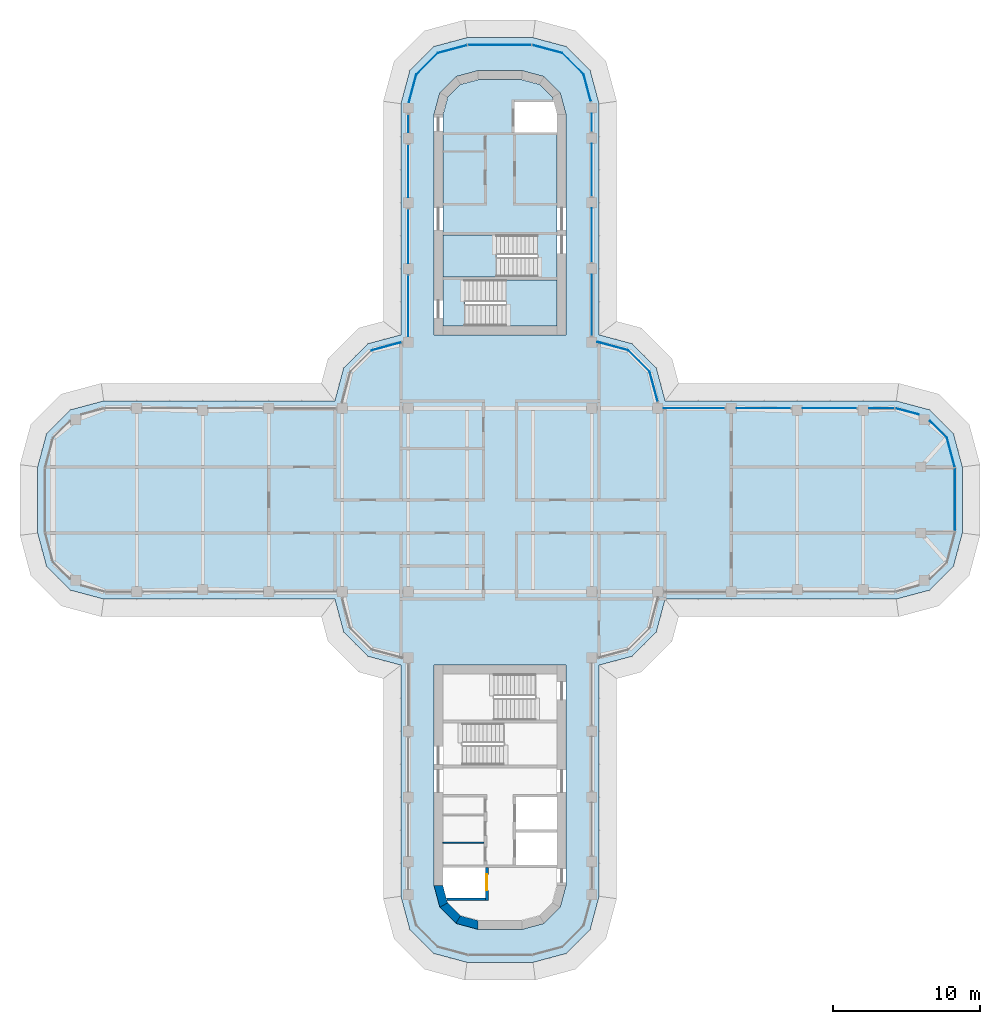
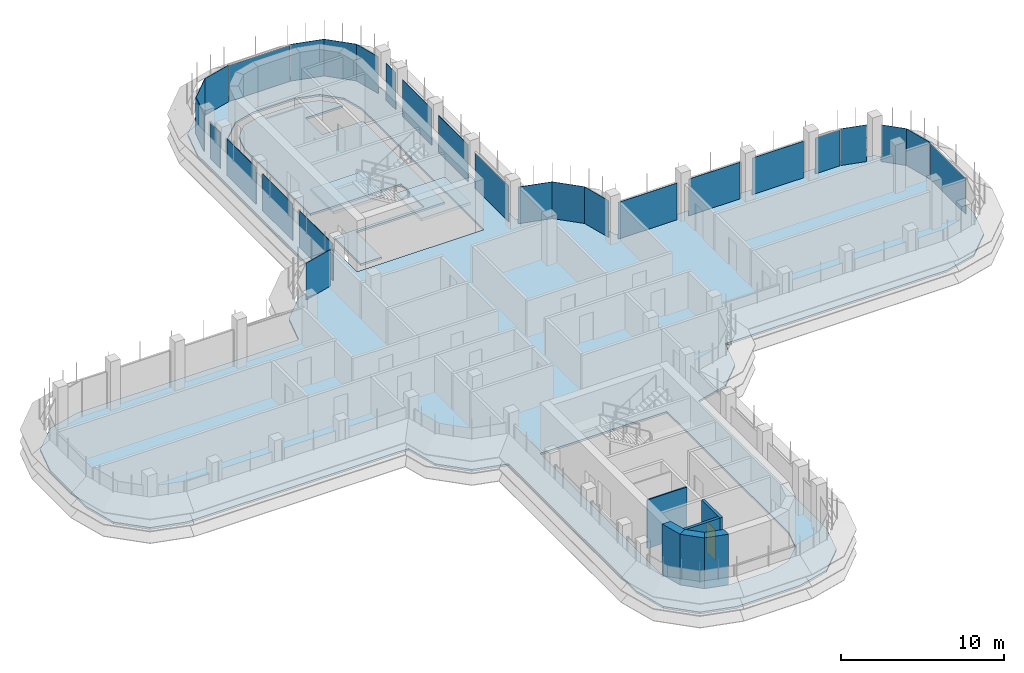
# One storey, part 12 of 19: 27 plates, 6 walls, 4 slabs, 1 door, 1 opening, 20 elements without a shape of their own.
"""IFC4 building model written with IfcOpenShell, lengths in metres."""

from ifc_helpers import new_model, si_unit, direction, frame, frame_2d, origin, place, context, subcontext, project, spatial, polyline, rectangle, outline, extrude, source, transform, mapped, material, layer, layer_set, type_object, element, fill, aggregate, save


model = new_model("IFC4")

# Units and contexts
model_context = context("Model", 3, precision=1e-05, world=origin(), true_north=direction((0.0, 1.0)))
body_context = subcontext(model_context, "Body", "Model", "MODEL_VIEW")
ifc_project = project(units=[si_unit("LENGTHUNIT", "METRE"), si_unit("AREAUNIT", "SQUARE_METRE"), si_unit("VOLUMEUNIT", "CUBIC_METRE"), si_unit("PLANEANGLEUNIT", "RADIAN"), si_unit("MASSUNIT", "GRAM", prefix="KILO")], contexts=[model_context])

# Site, building, storey
site_placement = place(None, origin())
site = spatial("IfcSite", under=ifc_project, at=site_placement, CompositionType="ELEMENT")
building_placement = place(site_placement, origin())
building = spatial("IfcBuilding", under=site, at=building_placement, Name="Zarbagh Exchange Tower", CompositionType="ELEMENT")
storey_placement = place(building_placement, frame((0.0, 0.0, 199.199951171875)))
storey = spatial("IfcBuildingStorey", under=building, at=storey_placement, Name="L48", CompositionType="ELEMENT", Elevation=199.199951171875)

# Slabs
ifc_material_1 = material(Name="Concrete C40/50", Category="concrete")
ifc_layer_1 = layer(ifc_material_1, 0.14990234375)
ifc_layer_set_1 = layer_set([ifc_layer_1], Name="Composite floor slab 150 C40/50")
slab_type_1 = type_object("IfcSlabType", Name="Composite floor slab 150 C40/50", PredefinedType="FLOOR", material=ifc_layer_set_1)
slab_1_placement = place(storey_placement, frame((0.0, 0.0, -0.14990234375)))
element("IfcSlab", 1, at=slab_1_placement, inside=storey, type_object=slab_type_1, Name="S5 composite floor slab", PredefinedType="FLOOR", context=body_context, shape_type="SweptSolid", body=[
    extrude(outline(polyline([(-2.25, -31.5), (-4.5, -30.897216796875), (-6.147216796875, -29.25), (-6.75, -27.0), (-6.75, -11.25), (-9.0, -10.647216796875), (-10.647216796875, -9.0), (-11.25, -6.75), (-27.0, -6.75), (-29.25, -6.147216796875), (-30.897216796875, -4.5), (-31.5, -2.25), (-31.5, 2.25), (-30.897216796875, 4.5), (-29.25, 6.147216796875), (-27.0, 6.75), (-11.25, 6.75), (-10.647216796875, 9.0), (-9.0, 10.647216796875), (-6.75, 11.25), (-6.75, 27.0), (-6.147216796875, 29.25), (-4.5, 30.897216796875), (-2.25, 31.5), (2.25, 31.5), (4.5, 30.897216796875), (6.147216796875, 29.25), (6.75, 27.0), (6.75, 11.25), (9.0, 10.647216796875), (10.647216796875, 9.0), (11.25, 6.75), (27.0, 6.75), (29.25, 6.147216796875), (30.897216796875, 4.5), (31.5, 2.25), (31.5, -2.25), (30.897216796875, -4.5), (29.25, -6.147216796875), (27.0, -6.75), (11.25, -6.75), (10.647216796875, -9.0), (9.0, -10.647216796875), (6.75, -11.25), (6.75, -27.0), (6.147216796875, -29.25), (4.5, -30.897216796875), (2.25, -31.5), (-2.25, -31.5)]), holes=[polyline([(4.5, 11.25), (4.5, 26.25), (4.09814453125, 27.75), (3.0, 28.84814453125), (1.5, 29.25), (-1.5, 29.25), (-3.0, 28.84814453125), (-4.09814453125, 27.75), (-4.5, 26.25), (-4.5, 11.25), (4.5, 11.25)]), polyline([(-1.5, -29.25), (1.5, -29.25), (3.0, -28.84814453125), (4.09814453125, -27.75), (4.5, -26.25), (4.5, -11.25), (-4.5, -11.25), (-4.5, -26.25), (-4.09814453125, -27.75), (-3.0, -28.84814453125), (-1.5, -29.25)])]), origin(), (0.0, 0.0, 1.0), 0.14990234375),
])
ifc_layer_2 = layer(ifc_material_1, 0.14990234375)
ifc_layer_set_2 = layer_set([ifc_layer_2], Name="Core floor slab 150 C40/50")
slab_type_2 = type_object("IfcSlabType", Name="Core floor slab 150 C40/50", PredefinedType="FLOOR", material=ifc_layer_set_2)
slab_2_placement = place(storey_placement, frame((0.0, 0.0, -0.14990234375)))
element("IfcSlab", 2, at=slab_2_placement, inside=storey, type_object=slab_type_2, Name="S17 core N", PredefinedType="FLOOR", context=body_context, shape_type="SweptSolid", body=[
    extrude(outline(polyline([(-3.89990234375, 11.85009765625), (-3.89990234375, 15.199951171875), (2.550048828125, 15.199951171875), (2.550048828125, 18.050048828125), (-3.89990234375, 18.050048828125), (-3.89990234375, 26.1708984375), (-3.56005859375, 27.439453125), (-2.689453125, 28.31005859375), (-1.4208984375, 28.64990234375), (1.4208984375, 28.64990234375), (2.689453125, 28.31005859375), (3.56005859375, 27.439453125), (3.651123046875, 27.10009765625), (1.0, 27.10009765625), (1.0, 25.050048828125), (3.89990234375, 25.050048828125), (3.89990234375, 15.0), (-2.39990234375, 15.0), (-2.39990234375, 11.85009765625), (-3.89990234375, 11.85009765625)])), origin(), (0.0, 0.0, 1.0), 0.14990234375),
])

# Stair, slab
stair_type = type_object("IfcStairType", Name="Exit stair two-flight half-turn", PredefinedType="HALF_TURN_STAIR", material=ifc_material_1)
stair_1_placement = place(storey_placement, origin())
stair_1 = element("IfcStair", 3, at=stair_1_placement, inside=storey, type_object=stair_type, Name="exit stair ST1", PredefinedType="HALF_TURN_STAIR")
ifc_layer_3 = layer(ifc_material_1, 0.199951171875)
ifc_layer_set_3 = layer_set([ifc_layer_3], Name="Stair landing 200 mm")
slab_type_3 = type_object("IfcSlabType", Name="Stair landing 200 mm", PredefinedType="LANDING", material=ifc_layer_set_3)
slab_3_placement = place(storey_placement, frame((0.0, 0.0, 1.699951171875)))
slab_3 = element("IfcSlab", 4, at=slab_3_placement, type_object=slab_type_3, Name="ST1 landing 1", PredefinedType="LANDING", context=body_context, shape_type="SweptSolid", body=[
    extrude(outline(polyline([(-0.25, 18.050048828125), (-3.89990234375, 18.050048828125), (-3.89990234375, 15.199951171875), (-0.25, 15.199951171875), (-0.25, 18.050048828125)])), origin(), (0.0, 0.0, 1.0), 0.2001953125),
])
aggregate(stair_1, [slab_3])

stair_2_placement = place(storey_placement, origin())
stair_2 = element("IfcStair", 5, at=stair_2_placement, inside=storey, type_object=stair_type, Name="exit stair ST2", PredefinedType="HALF_TURN_STAIR")
slab_4_placement = place(storey_placement, frame((0.0, 0.0, 1.699951171875)))
slab_4 = element("IfcSlab", 6, at=slab_4_placement, type_object=slab_type_3, Name="ST2 landing 1", PredefinedType="LANDING", context=body_context, shape_type="SweptSolid", body=[
    extrude(outline(polyline([(0.39990234375, 11.85009765625), (3.89990234375, 11.85009765625), (3.89990234375, 15.0), (0.39990234375, 15.0), (0.39990234375, 11.85009765625)])), origin(), (0.0, 0.0, 1.0), 0.2001953125),
])
aggregate(stair_2, [slab_4])

# Curtain wall, plate
ifc_material_2 = material(Name="Anodised aluminium frame and glazing", Category="aluminium")
curtain_wall_type = type_object("IfcCurtainWallType", Name="CWB Ribbon glazing, upper zones", PredefinedType="NOTDEFINED", material=ifc_material_2)
curtain_wall_1_placement = place(storey_placement, origin())
curtain_wall_1 = element("IfcCurtainWall", 7, at=curtain_wall_1_placement, inside=storey, type_object=curtain_wall_type, Name="CWB18 curtain wall", PredefinedType="NOTDEFINED")
ifc_material_3 = material(Name="Low-e double glazed unit, 6+12+6 mm")
ifc_layer_4 = layer(ifc_material_3, 0.031982421875)
ifc_layer_set_4 = layer_set([ifc_layer_4], Name="PAB Glazing panel, Low-e double glazed unit, 6+12+6 mm")
plate_type = type_object("IfcPlateType", Name="PAB Glazing panel, Low-e double glazed unit, 6+12+6 mm", PredefinedType="CURTAIN_PANEL", material=ifc_layer_set_4)
shared_shape_1 = source(origin(), body_context, "Body", "SweptSolid", [
    extrude(outline(polyline([(0.0, -0.01611328125), (2.061279296875, -0.01611328125), (2.061279296875, 0.01611328125), (0.0, 0.01611328125), (0.0, -0.01611328125)])), origin(), (0.0, 0.0, 1.0), 2.75),
])
placement = place(storey_placement, origin())
plate_1 = element("IfcPlate", 8, at=placement, type_object=plate_type, Name="CWB18 glazing panel 1.1", PredefinedType="CURTAIN_PANEL", context=body_context, shape_type="MappedRepresentation", body=[
    mapped(shared_shape_1, transform((10.19873046875, 8.7412109375, 0.0), x_axis=(-0.707106781187, 0.707106781187, 0.0), y_axis=(-0.707106781187, -0.707106781187, 0.0), z_axis=(0.0, 0.0, 1.0))),
])
aggregate(curtain_wall_1, [plate_1])

curtain_wall_2_placement = place(storey_placement, origin())
curtain_wall_2 = element("IfcCurtainWall", 9, at=curtain_wall_2_placement, inside=storey, type_object=curtain_wall_type, Name="CWB22 curtain wall", PredefinedType="NOTDEFINED")
plate_2 = element("IfcPlate", 10, at=placement, type_object=plate_type, Name="CWB22 glazing panel 1.1", PredefinedType="CURTAIN_PANEL", context=body_context, shape_type="MappedRepresentation", body=[
    mapped(shared_shape_1, transform((5.69873046875, 28.9912109375, 0.0), x_axis=(-0.707106781187, 0.707106781187, 0.0), y_axis=(-0.707106781187, -0.707106781187, 0.0), z_axis=(0.0, 0.0, 1.0))),
])
aggregate(curtain_wall_2, [plate_2])

curtain_wall_3_placement = place(storey_placement, origin())
curtain_wall_3 = element("IfcCurtainWall", 11, at=curtain_wall_3_placement, inside=storey, type_object=curtain_wall_type, Name="CWB26 curtain wall", PredefinedType="NOTDEFINED")
plate_3 = element("IfcPlate", 12, at=placement, type_object=plate_type, Name="CWB26 glazing panel 1.1", PredefinedType="CURTAIN_PANEL", context=body_context, shape_type="MappedRepresentation", body=[
    mapped(shared_shape_1, transform((-4.2412109375, 30.44873046875, 0.0), x_axis=(-0.707106781187, -0.707106781187, 0.0), y_axis=(0.707106781187, -0.707106781187, 0.0), z_axis=(0.0, 0.0, 1.0))),
])
aggregate(curtain_wall_3, [plate_3])

curtain_wall_4_placement = place(storey_placement, origin())
curtain_wall_4 = element("IfcCurtainWall", 13, at=curtain_wall_4_placement, inside=storey, type_object=curtain_wall_type, Name="CWB23 curtain wall", PredefinedType="NOTDEFINED")
shared_shape_2 = source(origin(), body_context, "Body", "SweptSolid", [
    extrude(outline(polyline([(0.0, -0.01611328125), (2.129638671875, -0.01611328125), (2.129638671875, 0.01611328125), (0.0, 0.01611328125), (0.0, -0.01611328125)])), origin(), (0.0, 0.0, 1.0), 2.75),
])
plate_4 = element("IfcPlate", 14, at=placement, type_object=plate_type, Name="CWB23 glazing panel 1.1", PredefinedType="CURTAIN_PANEL", context=body_context, shape_type="MappedRepresentation", body=[
    mapped(shared_shape_2, transform((4.2412109375, 30.44873046875, 0.0), x_axis=(-0.965924289636, 0.258824779902, 0.0), y_axis=(-0.258824779902, -0.965924289636, 0.0), z_axis=(0.0, 0.0, 1.0))),
])
aggregate(curtain_wall_4, [plate_4])

curtain_wall_5_placement = place(storey_placement, origin())
curtain_wall_5 = element("IfcCurtainWall", 15, at=curtain_wall_5_placement, inside=storey, type_object=curtain_wall_type, Name="CWB20 curtain wall", PredefinedType="NOTDEFINED")
shared_shape_3 = source(origin(), body_context, "Body", "SweptSolid", [
    extrude(outline(polyline([(0.0, -0.01611328125), (3.56005859375, -0.01611328125), (3.56005859375, 0.01611328125), (0.0, 0.01611328125), (0.0, -0.01611328125)])), origin(), (0.0, 0.0, 1.0), 2.75),
])
plate_5 = element("IfcPlate", 16, at=placement, type_object=plate_type, Name="CWB20 glazing panel 3.1", PredefinedType="CURTAIN_PANEL", context=body_context, shape_type="MappedRepresentation", body=[
    mapped(shared_shape_3, transform((6.25, 20.699951171875, 0.0), x_axis=(0.0, 1.0, 0.0), y_axis=(-1.0, 0.0, 0.0), z_axis=(0.0, 0.0, 1.0))),
])

curtain_wall_6_placement = place(storey_placement, origin())
curtain_wall_6 = element("IfcCurtainWall", 17, at=curtain_wall_6_placement, inside=storey, type_object=curtain_wall_type, Name="CWB28 curtain wall", PredefinedType="NOTDEFINED")
plate_6 = element("IfcPlate", 18, at=placement, type_object=plate_type, Name="CWB28 glazing panel 2.1", PredefinedType="CURTAIN_PANEL", context=body_context, shape_type="MappedRepresentation", body=[
    mapped(shared_shape_3, transform((-6.25, 24.199951171875, 0.0), x_axis=(0.0, -1.0, 0.0), y_axis=(1.0, 0.0, 0.0), z_axis=(0.0, 0.0, 1.0))),
])

curtain_wall_7_placement = place(storey_placement, origin())
curtain_wall_7 = element("IfcCurtainWall", 19, at=curtain_wall_7_placement, inside=storey, type_object=curtain_wall_type, Name="CWB12 curtain wall", PredefinedType="NOTDEFINED")
shared_shape_4 = source(origin(), body_context, "Body", "SweptSolid", [
    extrude(outline(polyline([(0.0, -0.01611328125), (4.308349609375, -0.01611328125), (4.308349609375, 0.01611328125), (0.0, 0.01611328125), (0.0, -0.01611328125)])), origin(), (0.0, 0.0, 1.0), 2.68994140625),
])
plate_7 = element("IfcPlate", 20, at=placement, type_object=plate_type, Name="CWB12 glazing panel 1.1", PredefinedType="CURTAIN_PANEL", context=body_context, shape_type="MappedRepresentation", body=[
    mapped(shared_shape_4, transform((31.0, -2.124267578125, 0.0), x_axis=(0.0, 1.0, 0.0), y_axis=(-1.0, 0.0, 0.0), z_axis=(0.0, 0.0, 1.0))),
])
aggregate(curtain_wall_7, [plate_7])

curtain_wall_8_placement = place(storey_placement, origin())
curtain_wall_8 = element("IfcCurtainWall", 21, at=curtain_wall_8_placement, inside=storey, type_object=curtain_wall_type, Name="CWB24 curtain wall", PredefinedType="NOTDEFINED")
plate_8 = element("IfcPlate", 22, at=placement, type_object=plate_type, Name="CWB24 glazing panel 1.1", PredefinedType="CURTAIN_PANEL", context=body_context, shape_type="MappedRepresentation", body=[
    mapped(shared_shape_4, transform((2.124267578125, 31.0, 0.0), x_axis=(-1.0, 0.0, 0.0), y_axis=(0.0, -1.0, 0.0), z_axis=(0.0, 0.0, 1.0))),
])
aggregate(curtain_wall_8, [plate_8])

curtain_wall_9_placement = place(storey_placement, origin())
curtain_wall_9 = element("IfcCurtainWall", 23, at=curtain_wall_9_placement, inside=storey, type_object=curtain_wall_type, Name="CWB13 curtain wall", PredefinedType="NOTDEFINED")
shared_shape_5 = source(origin(), body_context, "Body", "SweptSolid", [
    extrude(outline(polyline([(0.0, -0.01611328125), (2.069580078125, -0.01611328125), (2.069580078125, 0.01611328125), (0.0, 0.01611328125), (0.0, -0.01611328125)])), origin(), (0.0, 0.0, 1.0), 2.75),
])
plate_9 = element("IfcPlate", 24, at=placement, type_object=plate_type, Name="CWB13 glazing panel 1.1", PredefinedType="CURTAIN_PANEL", context=body_context, shape_type="MappedRepresentation", body=[
    mapped(shared_shape_5, transform((30.984375, 2.2421875, 0.0), x_axis=(-0.258824779902, 0.965924289636, 0.0), y_axis=(-0.965924289636, -0.258824779902, 0.0), z_axis=(0.0, 0.0, 1.0))),
])
aggregate(curtain_wall_9, [plate_9])

curtain_wall_10_placement = place(storey_placement, origin())
curtain_wall_10 = element("IfcCurtainWall", 25, at=curtain_wall_10_placement, inside=storey, type_object=curtain_wall_type, Name="CWB25 curtain wall", PredefinedType="NOTDEFINED")
plate_10 = element("IfcPlate", 26, at=placement, type_object=plate_type, Name="CWB25 glazing panel 1.1", PredefinedType="CURTAIN_PANEL", context=body_context, shape_type="MappedRepresentation", body=[
    mapped(shared_shape_5, transform((-2.2421875, 30.984375, 0.0), x_axis=(-0.965924289636, -0.258824779902, 0.0), y_axis=(0.258824779902, -0.965924289636, 0.0), z_axis=(0.0, 0.0, 1.0))),
])
aggregate(curtain_wall_10, [plate_10])

# Curtain wall, plates
curtain_wall_11_placement = place(storey_placement, origin())
curtain_wall_11 = element("IfcCurtainWall", 27, at=curtain_wall_11_placement, inside=storey, type_object=curtain_wall_type, Name="CWB16 curtain wall", PredefinedType="NOTDEFINED")
shared_shape_6 = source(origin(), body_context, "Body", "SweptSolid", [
    extrude(outline(polyline([(0.0, -0.01611328125), (3.659912109375, -0.01611328125), (3.659912109375, 0.01611328125), (0.0, 0.01611328125), (0.0, -0.01611328125)])), origin(), (0.0, 0.0, 1.0), 2.75),
])
plate_11 = element("IfcPlate", 28, at=placement, type_object=plate_type, Name="CWB16 glazing panel 2.1", PredefinedType="CURTAIN_PANEL", context=body_context, shape_type="MappedRepresentation", body=[
    mapped(shared_shape_6, transform((24.300048828125, 6.25, 0.0), x_axis=(-1.0, 0.0, 0.0), y_axis=(0.0, -1.0, 0.0), z_axis=(0.0, 0.0, 1.0))),
])
plate_12 = element("IfcPlate", 29, at=placement, type_object=plate_type, Name="CWB16 glazing panel 3.1", PredefinedType="CURTAIN_PANEL", context=body_context, shape_type="MappedRepresentation", body=[
    mapped(shared_shape_6, transform((19.800048828125, 6.25, 0.0), x_axis=(-1.0, 0.0, 0.0), y_axis=(0.0, -1.0, 0.0), z_axis=(0.0, 0.0, 1.0))),
])

# Plate
plate_13 = element("IfcPlate", 30, at=placement, type_object=plate_type, Name="CWB20 glazing panel 2.1", PredefinedType="CURTAIN_PANEL", context=body_context, shape_type="MappedRepresentation", body=[
    mapped(shared_shape_6, transform((6.25, 16.199951171875, 0.0), x_axis=(0.0, 1.0, 0.0), y_axis=(-1.0, 0.0, 0.0), z_axis=(0.0, 0.0, 1.0))),
])

plate_14 = element("IfcPlate", 31, at=placement, type_object=plate_type, Name="CWB28 glazing panel 3.1", PredefinedType="CURTAIN_PANEL", context=body_context, shape_type="MappedRepresentation", body=[
    mapped(shared_shape_6, transform((-6.25, 19.800048828125, 0.0), x_axis=(0.0, -1.0, 0.0), y_axis=(1.0, 0.0, 0.0), z_axis=(0.0, 0.0, 1.0))),
])

shared_shape_7 = source(origin(), body_context, "Body", "SweptSolid", [
    extrude(outline(polyline([(0.0, -0.01611328125), (4.159912109375, -0.01611328125), (4.159912109375, 0.01611328125), (0.0, 0.01611328125), (0.0, -0.01611328125)])), origin(), (0.0, 0.0, 1.0), 2.75),
])
plate_15 = element("IfcPlate", 32, at=placement, type_object=plate_type, Name="CWB16 glazing panel 4.1", PredefinedType="CURTAIN_PANEL", context=body_context, shape_type="MappedRepresentation", body=[
    mapped(shared_shape_7, transform((15.300048828125, 6.25, 0.0), x_axis=(-1.0, 0.0, 0.0), y_axis=(0.0, -1.0, 0.0), z_axis=(0.0, 0.0, 1.0))),
])

plate_16 = element("IfcPlate", 33, at=placement, type_object=plate_type, Name="CWB28 glazing panel 4.1", PredefinedType="CURTAIN_PANEL", context=body_context, shape_type="MappedRepresentation", body=[
    mapped(shared_shape_7, transform((-6.25, 15.300048828125, 0.0), x_axis=(0.0, -1.0, 0.0), y_axis=(1.0, 0.0, 0.0), z_axis=(0.0, 0.0, 1.0))),
])

# Curtain wall, plate
curtain_wall_12_placement = place(storey_placement, origin())
curtain_wall_12 = element("IfcCurtainWall", 34, at=curtain_wall_12_placement, inside=storey, type_object=curtain_wall_type, Name="CWB17 curtain wall", PredefinedType="NOTDEFINED")
shared_shape_8 = source(origin(), body_context, "Body", "SweptSolid", [
    extrude(outline(polyline([(0.0, -0.01611328125), (2.115234375, -0.01611328125), (2.115234375, 0.01611328125), (0.0, 0.01611328125), (0.0, -0.01611328125)])), origin(), (0.0, 0.0, 1.0), 2.75),
])
plate_17 = element("IfcPlate", 35, at=placement, type_object=plate_type, Name="CWB17 glazing panel 1.1", PredefinedType="CURTAIN_PANEL", context=body_context, shape_type="MappedRepresentation", body=[
    mapped(shared_shape_8, transform((10.746337890625, 6.697998046875, 0.0), x_axis=(-0.258824779902, 0.965924289636, 0.0), y_axis=(-0.965924289636, -0.258824779902, 0.0), z_axis=(0.0, 0.0, 1.0))),
])
aggregate(curtain_wall_12, [plate_17])

curtain_wall_13_placement = place(storey_placement, origin())
curtain_wall_13 = element("IfcCurtainWall", 36, at=curtain_wall_13_placement, inside=storey, type_object=curtain_wall_type, Name="CWB29 curtain wall", PredefinedType="NOTDEFINED")
plate_18 = element("IfcPlate", 37, at=placement, type_object=plate_type, Name="CWB29 glazing panel 1.1", PredefinedType="CURTAIN_PANEL", context=body_context, shape_type="MappedRepresentation", body=[
    mapped(shared_shape_8, transform((-6.697998046875, 10.746337890625, 0.0), x_axis=(-0.965924289636, -0.258824779902, 0.0), y_axis=(0.258824779902, -0.965924289636, 0.0), z_axis=(0.0, 0.0, 1.0))),
])
aggregate(curtain_wall_13, [plate_18])

curtain_wall_14_placement = place(storey_placement, origin())
curtain_wall_14 = element("IfcCurtainWall", 38, at=curtain_wall_14_placement, inside=storey, type_object=curtain_wall_type, Name="CWB19 curtain wall", PredefinedType="NOTDEFINED")
shared_shape_9 = source(origin(), body_context, "Body", "SweptSolid", [
    extrude(outline(polyline([(0.0, -0.01611328125), (2.17529296875, -0.01611328125), (2.17529296875, 0.01611328125), (0.0, 0.01611328125), (0.0, -0.01611328125)])), origin(), (0.0, 0.0, 1.0), 2.75),
])
plate_19 = element("IfcPlate", 39, at=placement, type_object=plate_type, Name="CWB19 glazing panel 1.1", PredefinedType="CURTAIN_PANEL", context=body_context, shape_type="MappedRepresentation", body=[
    mapped(shared_shape_9, transform((8.7412109375, 10.19873046875, 0.0), x_axis=(-0.965924289636, 0.258824779902, 0.0), y_axis=(-0.258824779902, -0.965924289636, 0.0), z_axis=(0.0, 0.0, 1.0))),
])
aggregate(curtain_wall_14, [plate_19])

# Plate
shared_shape_10 = source(origin(), body_context, "Body", "SweptSolid", [
    extrude(outline(polyline([(0.0, -0.01611328125), (4.159912109375, -0.01611328125), (4.159912109375, 0.01611328125), (0.0, 0.01611328125), (0.0, -0.01611328125)])), origin(), (0.0, 0.0, 1.0), 2.68994140625),
])
plate_20 = element("IfcPlate", 40, at=placement, type_object=plate_type, Name="CWB20 glazing panel 1.1", PredefinedType="CURTAIN_PANEL", context=body_context, shape_type="MappedRepresentation", body=[
    mapped(shared_shape_10, transform((6.25, 11.199951171875, 0.0), x_axis=(0.0, 1.0, 0.0), y_axis=(-1.0, 0.0, 0.0), z_axis=(0.0, 0.0, 1.0))),
])

# Curtain wall, plate
curtain_wall_15_placement = place(storey_placement, origin())
curtain_wall_15 = element("IfcCurtainWall", 41, at=curtain_wall_15_placement, inside=storey, type_object=curtain_wall_type, Name="CWB14 curtain wall", PredefinedType="NOTDEFINED")
shared_shape_11 = source(origin(), body_context, "Body", "SweptSolid", [
    extrude(outline(polyline([(0.0, -0.01611328125), (1.62744140625, -0.01611328125), (1.62744140625, 0.01611328125), (0.0, 0.01611328125), (0.0, -0.01611328125)])), origin(), (0.0, 0.0, 1.0), 2.75),
])
plate_21 = element("IfcPlate", 42, at=placement, type_object=plate_type, Name="CWB14 glazing panel 1.1", PredefinedType="CURTAIN_PANEL", context=body_context, shape_type="MappedRepresentation", body=[
    mapped(shared_shape_11, transform((30.44873046875, 4.2412109375, 0.0), x_axis=(-0.707106781187, 0.707106781187, 0.0), y_axis=(-0.707106781187, -0.707106781187, 0.0), z_axis=(0.0, 0.0, 1.0))),
])
aggregate(curtain_wall_15, [plate_21])

curtain_wall_16_placement = place(storey_placement, origin())
curtain_wall_16 = element("IfcCurtainWall", 43, at=curtain_wall_16_placement, inside=storey, type_object=curtain_wall_type, Name="CWB15 curtain wall", PredefinedType="NOTDEFINED")
shared_shape_12 = source(origin(), body_context, "Body", "SweptSolid", [
    extrude(outline(polyline([(0.0, -0.01611328125), (1.6396484375, -0.01611328125), (1.6396484375, 0.01611328125), (0.0, 0.01611328125), (0.0, -0.01611328125)])), origin(), (0.0, 0.0, 1.0), 2.75),
])
plate_22 = element("IfcPlate", 44, at=placement, type_object=plate_type, Name="CWB15 glazing panel 1.1", PredefinedType="CURTAIN_PANEL", context=body_context, shape_type="MappedRepresentation", body=[
    mapped(shared_shape_12, transform((28.51806640625, 5.82568359375, 0.0), x_axis=(-0.965924289636, 0.258824779902, 0.0), y_axis=(-0.258824779902, -0.965924289636, 0.0), z_axis=(0.0, 0.0, 1.0))),
])
aggregate(curtain_wall_16, [plate_22])

# Plate
shared_shape_13 = source(origin(), body_context, "Body", "SweptSolid", [
    extrude(outline(polyline([(0.0, -0.01611328125), (1.734130859375, -0.01611328125), (1.734130859375, 0.01611328125), (0.0, 0.01611328125), (0.0, -0.01611328125)])), origin(), (0.0, 0.0, 1.0), 2.68994140625),
])
plate_23 = element("IfcPlate", 45, at=placement, type_object=plate_type, Name="CWB16 glazing panel 1.1", PredefinedType="CURTAIN_PANEL", context=body_context, shape_type="MappedRepresentation", body=[
    mapped(shared_shape_13, transform((26.874267578125, 6.25, 0.0), x_axis=(-1.0, 0.0, 0.0), y_axis=(0.0, -1.0, 0.0), z_axis=(0.0, 0.0, 1.0))),
])

aggregate(curtain_wall_11, [plate_23, plate_11, plate_12, plate_15])

shared_shape_14 = source(origin(), body_context, "Body", "SweptSolid", [
    extrude(outline(polyline([(0.0, -0.01611328125), (1.2099609375, -0.01611328125), (1.2099609375, 0.01611328125), (0.0, 0.01611328125), (0.0, -0.01611328125)])), origin(), (0.0, 0.0, 1.0), 2.75),
])
plate_24 = element("IfcPlate", 46, at=placement, type_object=plate_type, Name="CWB20 glazing panel 4.1", PredefinedType="CURTAIN_PANEL", context=body_context, shape_type="MappedRepresentation", body=[
    mapped(shared_shape_14, transform((6.25, 25.10009765625, 0.0), x_axis=(0.0, 1.0, 0.0), y_axis=(-1.0, 0.0, 0.0), z_axis=(0.0, 0.0, 1.0))),
])

aggregate(curtain_wall_5, [plate_20, plate_13, plate_5, plate_24])

# Curtain wall, plate
curtain_wall_17_placement = place(storey_placement, origin())
curtain_wall_17 = element("IfcCurtainWall", 47, at=curtain_wall_17_placement, inside=storey, type_object=curtain_wall_type, Name="CWB21 curtain wall", PredefinedType="NOTDEFINED")
shared_shape_15 = source(origin(), body_context, "Body", "SweptSolid", [
    extrude(outline(polyline([(0.0, -0.01611328125), (1.908203125, -0.01611328125), (1.908203125, 0.01611328125), (0.0, 0.01611328125), (0.0, -0.01611328125)])), origin(), (0.0, 0.0, 1.0), 2.75),
])
plate_25 = element("IfcPlate", 48, at=placement, type_object=plate_type, Name="CWB21 glazing panel 1.1", PredefinedType="CURTAIN_PANEL", context=body_context, shape_type="MappedRepresentation", body=[
    mapped(shared_shape_15, transform((6.192626953125, 27.14794921875, 0.0), x_axis=(-0.258824779902, 0.965924289636, 0.0), y_axis=(-0.965924289636, -0.258824779902, 0.0), z_axis=(0.0, 0.0, 1.0))),
])
aggregate(curtain_wall_17, [plate_25])

curtain_wall_18_placement = place(storey_placement, origin())
curtain_wall_18 = element("IfcCurtainWall", 49, at=curtain_wall_18_placement, inside=storey, type_object=curtain_wall_type, Name="CWB27 curtain wall", PredefinedType="NOTDEFINED")
shared_shape_16 = source(origin(), body_context, "Body", "SweptSolid", [
    extrude(outline(polyline([(0.0, -0.01611328125), (1.96826171875, -0.01611328125), (1.96826171875, 0.01611328125), (0.0, 0.01611328125), (0.0, -0.01611328125)])), origin(), (0.0, 0.0, 1.0), 2.75),
])
plate_26 = element("IfcPlate", 50, at=placement, type_object=plate_type, Name="CWB27 glazing panel 1.1", PredefinedType="CURTAIN_PANEL", context=body_context, shape_type="MappedRepresentation", body=[
    mapped(shared_shape_16, transform((-5.69873046875, 28.9912109375, 0.0), x_axis=(-0.258824779902, -0.965924289636, 0.0), y_axis=(0.965924289636, -0.258824779902, 0.0), z_axis=(0.0, 0.0, 1.0))),
])
aggregate(curtain_wall_18, [plate_26])

# Plate
shared_shape_17 = source(origin(), body_context, "Body", "SweptSolid", [
    extrude(outline(polyline([(0.0, -0.01611328125), (1.2099609375, -0.01611328125), (1.2099609375, 0.01611328125), (0.0, 0.01611328125), (0.0, -0.01611328125)])), origin(), (0.0, 0.0, 1.0), 2.68994140625),
])
plate_27 = element("IfcPlate", 51, at=placement, type_object=plate_type, Name="CWB28 glazing panel 1.1", PredefinedType="CURTAIN_PANEL", context=body_context, shape_type="MappedRepresentation", body=[
    mapped(shared_shape_17, transform((-6.25, 26.25, 0.0), x_axis=(0.0, -1.0, 0.0), y_axis=(1.0, 0.0, 0.0), z_axis=(0.0, 0.0, 1.0))),
])

aggregate(curtain_wall_6, [plate_27, plate_6, plate_14, plate_16])

# Walls
ifc_material_4 = material(Name="Dense blockwork", Category="masonry")
ifc_layer_5 = layer(ifc_material_4, 0.10009765625)
ifc_layer_set_5 = layer_set([ifc_layer_5], Name="Core partition 100 mm blockwork")
wall_type_1 = type_object("IfcWallType", Name="Core partition 100 mm blockwork", PredefinedType="PARTITIONING", material=ifc_layer_set_5)
wall_1_placement = place(storey_placement, frame((-1.10009765625, -23.35009765625, 0.0), z_axis=(0.0, 0.0, 1.0), x_axis=(-1.0, 0.0, 0.0)))
element("IfcWall", 52, at=wall_1_placement, inside=storey, type_object=wall_type_1, Name="South core partition wall CUT-E-500", PredefinedType="PARTITIONING", context=body_context, shape_type="SweptSolid", body=[
    extrude(rectangle(XDim=2.7998046875, YDim=0.10009765625, at=frame_2d((1.39990234375, 0.0))), origin(), (0.0, 0.0, 1.0), 3.650146484375),
])
ifc_material_5 = material(Name="Concrete C50/60", Category="concrete")
ifc_layer_6 = layer(ifc_material_5, 0.60009765625)
ifc_layer_set_6 = layer_set([ifc_layer_6], Name="RC core corner wall 600 C50/60")
wall_type_2 = type_object("IfcWallType", Name="RC core corner wall 600 C50/60", PredefinedType="SHEAR", material=ifc_layer_set_6)
wall_2_placement = place(storey_placement, origin())
element("IfcWall", 53, at=wall_2_placement, inside=storey, type_object=wall_type_2, Name="CW8 core S corner W", PredefinedType="SHEAR", context=body_context, shape_type="SweptSolid", body=[
    extrude(outline(polyline([(-4.5, -26.25), (-4.09814453125, -27.75), (-3.57861328125, -27.449951171875), (-3.89990234375, -26.25), (-4.5, -26.25)])), origin(), (0.0, 0.0, 1.0), 3.800048828125),
])
wall_3_placement = place(storey_placement, origin())
element("IfcWall", 54, at=wall_3_placement, inside=storey, type_object=wall_type_2, Name="CW8 core S corner W", PredefinedType="SHEAR", context=body_context, shape_type="SweptSolid", body=[
    extrude(outline(polyline([(-4.09814453125, -27.75), (-3.0, -28.84814453125), (-2.699951171875, -28.32861328125), (-3.57861328125, -27.449951171875), (-4.09814453125, -27.75)])), origin(), (0.0, 0.0, 1.0), 3.800048828125),
])
wall_4_placement = place(storey_placement, origin())
element("IfcWall", 55, at=wall_4_placement, inside=storey, type_object=wall_type_2, Name="CW8 core S corner W", PredefinedType="SHEAR", context=body_context, shape_type="SweptSolid", body=[
    extrude(outline(polyline([(-3.0, -28.84814453125), (-1.5, -29.25), (-1.5, -28.64990234375), (-2.699951171875, -28.32861328125), (-3.0, -28.84814453125)])), origin(), (0.0, 0.0, 1.0), 3.800048828125),
])

# Wall, opening, door
ifc_layer_7 = layer(ifc_material_1, 0.199951171875)
ifc_layer_set_7 = layer_set([ifc_layer_7], Name="Stair enclosure wall 200 mm RC C40/50")
wall_type_3 = type_object("IfcWallType", Name="Stair enclosure wall 200 mm RC C40/50", PredefinedType="SHEAR", material=ifc_layer_set_7)
wall_5_placement = place(storey_placement, frame((-0.89990234375, -27.300048828125, 0.0), z_axis=(0.0, 0.0, 1.0), x_axis=(0.0, 1.0, 0.0)))
wall_5 = element("IfcWall", 56, at=wall_5_placement, inside=storey, type_object=wall_type_3, Name="South core lift shaft wall FFL", PredefinedType="SHEAR", context=body_context, shape_type="SweptSolid", body=[
    extrude(rectangle(XDim=2.25, YDim=0.199951171875, at=frame_2d((1.125, 0.0))), origin(), (0.0, 0.0, 1.0), 3.650146484375),
])
opening_placement = place(wall_5_placement, frame((0.699951171875, 0.0, 0.0)))
opening = element("IfcOpeningElement", 57, at=opening_placement, cuts=wall_5, Name="Opening LD-1100", PredefinedType="OPENING", context=body_context, shape_type="SweptSolid", body=[
    extrude(rectangle(XDim=1.10009765625, YDim=2.300048828125, at=frame_2d((0.550048828125, 1.14990234375))), frame((0.0, 0.10986328125, 0.0), z_axis=(0.0, -1.0, 0.0), x_axis=(1.0, 0.0, 0.0)), (0.0, 0.0, 1.0), 0.219970703125),
])
ifc_material_6 = material(Name="Stainless steel", Category="steel")
door_type = type_object("IfcDoorType", Name="Lift landing door 1100 x 2300", OperationType="NOTDEFINED", PredefinedType="DOOR", material=ifc_material_6)
door_placement = place(opening_placement, origin())
door = element("IfcDoor", 58, at=door_placement, inside=storey, type_object=door_type, Name="South core lift landing door LD-F", OperationType="DOUBLE_DOOR_SLIDING", OverallHeight=2.300048828125, OverallWidth=1.10009765625, PredefinedType="DOOR", context=body_context, shape_type="SweptSolid", body=[
    extrude(rectangle(XDim=1.10009765625, YDim=2.300048828125, at=frame_2d((0.550048828125, 1.14990234375))), frame((0.0, 0.02490234375, 0.0), z_axis=(0.0, -1.0, 0.0), x_axis=(1.0, 0.0, 0.0)), (0.0, 0.0, 1.0), 0.050048828125),
])
fill(opening, door)

# Wall
wall_6_placement = place(storey_placement, origin())
element("IfcWall", 59, at=wall_6_placement, inside=storey, type_object=wall_type_3, Name="South core lift shaft wall FFX", PredefinedType="SHEAR", context=body_context, shape_type="SweptSolid", body=[
    extrude(outline(polyline([(-1.0, -27.10009765625), (-3.651123046875, -27.10009765625), (-3.597412109375, -27.300048828125), (-1.0, -27.300048828125), (-1.0, -27.10009765625)])), origin(), (0.0, 0.0, 1.0), 3.650146484375),
])

save(model, "model.ifc")
